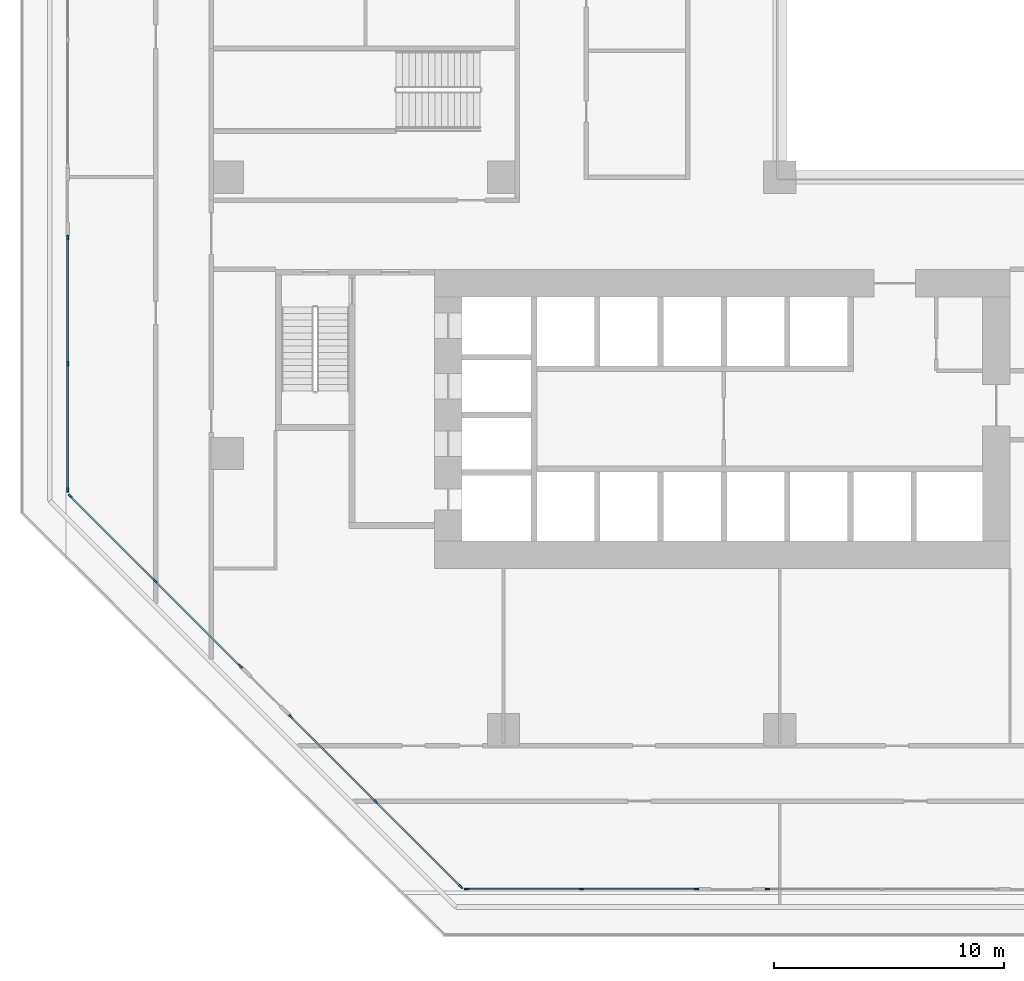
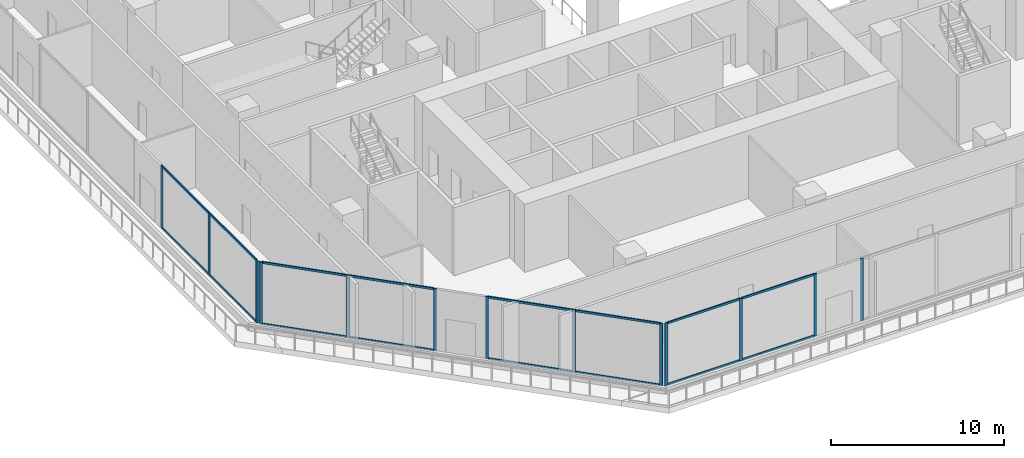
# One storey, part 2 of 25: 29 members, 5 elements without a shape of their own.
"""IFC4 building model written with IfcOpenShell, lengths in metres."""

from ifc_helpers import new_model, si_unit, direction, frame, origin, origin_2d, place, context, subcontext, project, spatial, rectangle, extrude, material, layer, layer_set, material_profile, profile_set, type_object, element, aggregate, save


model = new_model("IFC4")

# Units and contexts
model_context = context("Model", 3, precision=1e-05, world=origin(), true_north=direction((0.0, 1.0)))
body_context = subcontext(model_context, "Body", "Model", "MODEL_VIEW")
ifc_project = project(units=[si_unit("LENGTHUNIT", "METRE"), si_unit("AREAUNIT", "SQUARE_METRE"), si_unit("VOLUMEUNIT", "CUBIC_METRE"), si_unit("PLANEANGLEUNIT", "RADIAN"), si_unit("MASSUNIT", "GRAM", prefix="KILO")], contexts=[model_context])

# Site, building, storey
site_placement = place(None, origin())
site = spatial("IfcSite", under=ifc_project, at=site_placement, CompositionType="ELEMENT")
building_placement = place(site_placement, origin())
building = spatial("IfcBuilding", under=site, at=building_placement, Name="Chenar Terraces", CompositionType="ELEMENT")
storey_placement = place(building_placement, frame((0.0, 0.0, 21.60009765625)))
storey = spatial("IfcBuildingStorey", under=building, at=storey_placement, Name="L04", CompositionType="ELEMENT", Elevation=21.60009765625)

# Curtain wall, members
ifc_material_1 = material(Name="Aluminium framed glazing", Category="aluminium")
ifc_layer = layer(ifc_material_1, 0.14990234375)
ifc_layer_set = layer_set([ifc_layer], Name="Aluminium framed glazing")
curtain_wall_type = type_object("IfcCurtainWallType", Name="School curtain wall", PredefinedType="NOTDEFINED", material=ifc_layer_set)
placement = place(storey_placement, origin())
curtain_wall_1 = element("IfcCurtainWall", 1, at=placement, inside=storey, type_object=curtain_wall_type, Name="School curtain wall", PredefinedType="NOTDEFINED")
ifc_material_2 = material(Name="Aluminium", Category="aluminium")
ifc_material_profile_1 = material_profile(ifc_material_2, rectangle(XDim=0.070068359375, YDim=0.199951171875, at=origin_2d()), Name="School glazing mullion 70 x 200")
ifc_profile_set_1 = profile_set([ifc_material_profile_1], Name="Aluminium")
member_type_1 = type_object("IfcMemberType", Name="School glazing mullion 70 x 200", PredefinedType="MULLION", material=ifc_profile_set_1)
member_1_placement = place(storey_placement, frame((-6.925048828125, 21.388427734375, 0.0), z_axis=(0.0, 0.0, 1.0), x_axis=(1.0, 0.0, 0.0)))
member_1 = element("IfcMember", 2, at=member_1_placement, type_object=member_type_1, Name="CW2-05c3 mullion 1", PredefinedType="MULLION", context=body_context, shape_type="SweptSolid", body=[
    extrude(rectangle(XDim=0.070068359375, YDim=0.199951171875, at=origin_2d()), origin(), (0.0, 0.0, 1.0), 4.39990234375),
])
member_2_placement = place(storey_placement, frame((-6.925048828125, 15.897705078125, 0.0), z_axis=(0.0, 0.0, 1.0), x_axis=(1.0, 0.0, 0.0)))
member_2 = element("IfcMember", 3, at=member_2_placement, type_object=member_type_1, Name="CW2-05c3 mullion 2", PredefinedType="MULLION", context=body_context, shape_type="SweptSolid", body=[
    extrude(rectangle(XDim=0.070068359375, YDim=0.199951171875, at=origin_2d()), origin(), (0.0, 0.0, 1.0), 4.39990234375),
])
member_3_placement = place(storey_placement, frame((-6.925048828125, 10.40673828125, 0.0), z_axis=(0.0, 0.0, 1.0), x_axis=(1.0, 0.0, 0.0)))
member_3 = element("IfcMember", 4, at=member_3_placement, type_object=member_type_1, Name="CW2-05c3 mullion 3", PredefinedType="MULLION", context=body_context, shape_type="SweptSolid", body=[
    extrude(rectangle(XDim=0.070068359375, YDim=0.199951171875, at=origin_2d()), origin(), (0.0, 0.0, 1.0), 4.39990234375),
])

curtain_wall_2 = element("IfcCurtainWall", 5, at=placement, inside=storey, type_object=curtain_wall_type, Name="School curtain wall", PredefinedType="NOTDEFINED")
member_4_placement = place(storey_placement, frame((-6.816162109375, 10.14404296875, 0.0), z_axis=(0.0, 0.0, 1.0), x_axis=(0.707106781187, 0.707106781187, 0.0)))
member_4 = element("IfcMember", 6, at=member_4_placement, type_object=member_type_1, Name="CW2-06c0 mullion 1", PredefinedType="MULLION", context=body_context, shape_type="SweptSolid", body=[
    extrude(rectangle(XDim=0.070068359375, YDim=0.199951171875, at=origin_2d()), origin(), (0.0, 0.0, 1.0), 4.39990234375),
])
member_5_placement = place(storey_placement, frame((-3.123291015625, 6.451171875, 0.0), z_axis=(0.0, 0.0, 1.0), x_axis=(0.707106781187, 0.707106781187, 0.0)))
member_5 = element("IfcMember", 7, at=member_5_placement, type_object=member_type_1, Name="CW2-06c0 mullion 2", PredefinedType="MULLION", context=body_context, shape_type="SweptSolid", body=[
    extrude(rectangle(XDim=0.070068359375, YDim=0.199951171875, at=origin_2d()), origin(), (0.0, 0.0, 1.0), 4.39990234375),
])
member_6_placement = place(storey_placement, frame((0.569580078125, 2.75830078125, 0.0), z_axis=(0.0, 0.0, 1.0), x_axis=(0.707106781187, 0.707106781187, 0.0)))
member_6 = element("IfcMember", 8, at=member_6_placement, type_object=member_type_1, Name="CW2-06c0 mullion 3", PredefinedType="MULLION", context=body_context, shape_type="SweptSolid", body=[
    extrude(rectangle(XDim=0.070068359375, YDim=0.199951171875, at=origin_2d()), origin(), (0.0, 0.0, 1.0), 4.39990234375),
])

curtain_wall_3 = element("IfcCurtainWall", 9, at=placement, inside=storey, type_object=curtain_wall_type, Name="School curtain wall", PredefinedType="NOTDEFINED")
member_7_placement = place(storey_placement, frame((2.75830078125, 0.569580078125, 0.0), z_axis=(0.0, 0.0, 1.0), x_axis=(0.707106781187, 0.707106781187, 0.0)))
member_7 = element("IfcMember", 10, at=member_7_placement, type_object=member_type_1, Name="CW2-06c1 mullion 1", PredefinedType="MULLION", context=body_context, shape_type="SweptSolid", body=[
    extrude(rectangle(XDim=0.070068359375, YDim=0.199951171875, at=origin_2d()), origin(), (0.0, 0.0, 1.0), 4.39990234375),
])
member_8_placement = place(storey_placement, frame((6.451171875, -3.123291015625, 0.0), z_axis=(0.0, 0.0, 1.0), x_axis=(0.707106781187, 0.707106781187, 0.0)))
member_8 = element("IfcMember", 11, at=member_8_placement, type_object=member_type_1, Name="CW2-06c1 mullion 2", PredefinedType="MULLION", context=body_context, shape_type="SweptSolid", body=[
    extrude(rectangle(XDim=0.070068359375, YDim=0.199951171875, at=origin_2d()), origin(), (0.0, 0.0, 1.0), 4.39990234375),
])
member_9_placement = place(storey_placement, frame((10.14404296875, -6.816162109375, 0.0), z_axis=(0.0, 0.0, 1.0), x_axis=(0.707106781187, 0.707106781187, 0.0)))
member_9 = element("IfcMember", 12, at=member_9_placement, type_object=member_type_1, Name="CW2-06c1 mullion 3", PredefinedType="MULLION", context=body_context, shape_type="SweptSolid", body=[
    extrude(rectangle(XDim=0.070068359375, YDim=0.199951171875, at=origin_2d()), origin(), (0.0, 0.0, 1.0), 4.39990234375),
])

curtain_wall_4 = element("IfcCurtainWall", 13, at=placement, inside=storey, type_object=curtain_wall_type, Name="School curtain wall", PredefinedType="NOTDEFINED")
member_10_placement = place(storey_placement, frame((10.40673828125, -6.925048828125, 0.0), z_axis=(0.0, 0.0, 1.0), x_axis=(0.0, 1.0, 0.0)))
member_10 = element("IfcMember", 14, at=member_10_placement, type_object=member_type_1, Name="CW2-07c0 mullion 1", PredefinedType="MULLION", context=body_context, shape_type="SweptSolid", body=[
    extrude(rectangle(XDim=0.070068359375, YDim=0.199951171875, at=origin_2d()), origin(), (0.0, 0.0, 1.0), 4.39990234375),
])
member_11_placement = place(storey_placement, frame((15.39111328125, -6.925048828125, 0.0), z_axis=(0.0, 0.0, 1.0), x_axis=(0.0, 1.0, 0.0)))
member_11 = element("IfcMember", 15, at=member_11_placement, type_object=member_type_1, Name="CW2-07c0 mullion 2", PredefinedType="MULLION", context=body_context, shape_type="SweptSolid", body=[
    extrude(rectangle(XDim=0.070068359375, YDim=0.199951171875, at=origin_2d()), origin(), (0.0, 0.0, 1.0), 4.39990234375),
])
member_12_placement = place(storey_placement, frame((20.37548828125, -6.925048828125, 0.0), z_axis=(0.0, 0.0, 1.0), x_axis=(0.0, 1.0, 0.0)))
member_12 = element("IfcMember", 16, at=member_12_placement, type_object=member_type_1, Name="CW2-07c0 mullion 3", PredefinedType="MULLION", context=body_context, shape_type="SweptSolid", body=[
    extrude(rectangle(XDim=0.070068359375, YDim=0.199951171875, at=origin_2d()), origin(), (0.0, 0.0, 1.0), 4.39990234375),
])

# Curtain wall, member
curtain_wall_5 = element("IfcCurtainWall", 17, at=placement, inside=storey, type_object=curtain_wall_type, Name="School curtain wall", PredefinedType="NOTDEFINED")
member_13_placement = place(storey_placement, frame((23.470458984375, -6.925048828125, 0.0), z_axis=(0.0, 0.0, 1.0), x_axis=(0.0, 1.0, 0.0)))
member_13 = element("IfcMember", 18, at=member_13_placement, type_object=member_type_1, Name="CW2-07c1 mullion 1", PredefinedType="MULLION", context=body_context, shape_type="SweptSolid", body=[
    extrude(rectangle(XDim=0.070068359375, YDim=0.199951171875, at=origin_2d()), origin(), (0.0, 0.0, 1.0), 4.39990234375),
])
aggregate(curtain_wall_5, [member_13])

# Member
ifc_material_3 = material(Name="Aluminium", Category="aluminium")
ifc_material_profile_2 = material_profile(ifc_material_3, rectangle(XDim=0.070068359375, YDim=0.14990234375, at=origin_2d()), Name="School glazing transom 70 x 150")
ifc_profile_set_2 = profile_set([ifc_material_profile_2], Name="Aluminium")
member_type_2 = type_object("IfcMemberType", Name="School glazing transom 70 x 150", PredefinedType="USERDEFINED", material=ifc_profile_set_2)
member_14_placement = place(storey_placement, frame((-6.925048828125, 21.353515625, 0.034912109375), z_axis=(0.0, -1.0, 0.0), x_axis=(1.0, 0.0, 0.0)))
member_14 = element("IfcMember", 19, at=member_14_placement, type_object=member_type_2, Name="CW2-05c3 transom 1.1", ObjectType="TRANSOM", PredefinedType="USERDEFINED", context=body_context, shape_type="SweptSolid", body=[
    extrude(rectangle(XDim=0.070068359375, YDim=0.14990234375, at=origin_2d()), origin(), (0.0, 0.0, 1.0), 5.4208984375),
])

member_15_placement = place(storey_placement, frame((-6.925048828125, 21.353515625, 4.364990234375), z_axis=(0.0, -1.0, 0.0), x_axis=(1.0, 0.0, 0.0)))
member_15 = element("IfcMember", 20, at=member_15_placement, type_object=member_type_2, Name="CW2-05c3 transom 1.2", ObjectType="TRANSOM", PredefinedType="USERDEFINED", context=body_context, shape_type="SweptSolid", body=[
    extrude(rectangle(XDim=0.070068359375, YDim=0.14990234375, at=origin_2d()), origin(), (0.0, 0.0, 1.0), 5.4208984375),
])

member_16_placement = place(storey_placement, frame((-6.925048828125, 15.862548828125, 0.034912109375), z_axis=(0.0, -1.0, 0.0), x_axis=(1.0, 0.0, 0.0)))
member_16 = element("IfcMember", 21, at=member_16_placement, type_object=member_type_2, Name="CW2-05c3 transom 2.1", ObjectType="TRANSOM", PredefinedType="USERDEFINED", context=body_context, shape_type="SweptSolid", body=[
    extrude(rectangle(XDim=0.070068359375, YDim=0.14990234375, at=origin_2d()), origin(), (0.0, 0.0, 1.0), 5.420654296875),
])

member_17_placement = place(storey_placement, frame((-6.925048828125, 15.862548828125, 4.364990234375), z_axis=(0.0, -1.0, 0.0), x_axis=(1.0, 0.0, 0.0)))
member_17 = element("IfcMember", 22, at=member_17_placement, type_object=member_type_2, Name="CW2-05c3 transom 2.2", ObjectType="TRANSOM", PredefinedType="USERDEFINED", context=body_context, shape_type="SweptSolid", body=[
    extrude(rectangle(XDim=0.070068359375, YDim=0.14990234375, at=origin_2d()), origin(), (0.0, 0.0, 1.0), 5.420654296875),
])

aggregate(curtain_wall_1, [member_1, member_2, member_3, member_14, member_15, member_16, member_17])

member_18_placement = place(storey_placement, frame((-6.79150390625, 10.119384765625, 0.034912109375), z_axis=(0.707106781187, -0.707106781187, 0.0), x_axis=(0.707106781187, 0.707106781187, 0.0)))
member_18 = element("IfcMember", 23, at=member_18_placement, type_object=member_type_2, Name="CW2-06c0 transom 1.1", ObjectType="TRANSOM", PredefinedType="USERDEFINED", context=body_context, shape_type="SweptSolid", body=[
    extrude(rectangle(XDim=0.070068359375, YDim=0.14990234375, at=origin_2d()), origin(), (0.0, 0.0, 1.0), 5.15283203125),
])

member_19_placement = place(storey_placement, frame((-6.79150390625, 10.119384765625, 4.364990234375), z_axis=(0.707106781187, -0.707106781187, 0.0), x_axis=(0.707106781187, 0.707106781187, 0.0)))
member_19 = element("IfcMember", 24, at=member_19_placement, type_object=member_type_2, Name="CW2-06c0 transom 1.2", ObjectType="TRANSOM", PredefinedType="USERDEFINED", context=body_context, shape_type="SweptSolid", body=[
    extrude(rectangle(XDim=0.070068359375, YDim=0.14990234375, at=origin_2d()), origin(), (0.0, 0.0, 1.0), 5.15283203125),
])

member_20_placement = place(storey_placement, frame((-3.098388671875, 6.42626953125, 0.034912109375), z_axis=(0.707106781187, -0.707106781187, 0.0), x_axis=(0.707106781187, 0.707106781187, 0.0)))
member_20 = element("IfcMember", 25, at=member_20_placement, type_object=member_type_2, Name="CW2-06c0 transom 2.1", ObjectType="TRANSOM", PredefinedType="USERDEFINED", context=body_context, shape_type="SweptSolid", body=[
    extrude(rectangle(XDim=0.070068359375, YDim=0.14990234375, at=origin_2d()), origin(), (0.0, 0.0, 1.0), 5.15234375),
])

member_21_placement = place(storey_placement, frame((-3.098388671875, 6.42626953125, 4.364990234375), z_axis=(0.707106781187, -0.707106781187, 0.0), x_axis=(0.707106781187, 0.707106781187, 0.0)))
member_21 = element("IfcMember", 26, at=member_21_placement, type_object=member_type_2, Name="CW2-06c0 transom 2.2", ObjectType="TRANSOM", PredefinedType="USERDEFINED", context=body_context, shape_type="SweptSolid", body=[
    extrude(rectangle(XDim=0.070068359375, YDim=0.14990234375, at=origin_2d()), origin(), (0.0, 0.0, 1.0), 5.15234375),
])

aggregate(curtain_wall_2, [member_4, member_5, member_6, member_18, member_19, member_20, member_21])

member_22_placement = place(storey_placement, frame((2.782958984375, 0.544921875, 0.034912109375), z_axis=(0.707106781187, -0.707106781187, 0.0), x_axis=(0.707106781187, 0.707106781187, 0.0)))
member_22 = element("IfcMember", 27, at=member_22_placement, type_object=member_type_2, Name="CW2-06c1 transom 1.1", ObjectType="TRANSOM", PredefinedType="USERDEFINED", context=body_context, shape_type="SweptSolid", body=[
    extrude(rectangle(XDim=0.070068359375, YDim=0.14990234375, at=origin_2d()), origin(), (0.0, 0.0, 1.0), 5.15234375),
])

member_23_placement = place(storey_placement, frame((2.782958984375, 0.544921875, 4.364990234375), z_axis=(0.707106781187, -0.707106781187, 0.0), x_axis=(0.707106781187, 0.707106781187, 0.0)))
member_23 = element("IfcMember", 28, at=member_23_placement, type_object=member_type_2, Name="CW2-06c1 transom 1.2", ObjectType="TRANSOM", PredefinedType="USERDEFINED", context=body_context, shape_type="SweptSolid", body=[
    extrude(rectangle(XDim=0.070068359375, YDim=0.14990234375, at=origin_2d()), origin(), (0.0, 0.0, 1.0), 5.15234375),
])

member_24_placement = place(storey_placement, frame((6.475830078125, -3.14794921875, 0.034912109375), z_axis=(0.707106781187, -0.707106781187, 0.0), x_axis=(0.707106781187, 0.707106781187, 0.0)))
member_24 = element("IfcMember", 29, at=member_24_placement, type_object=member_type_2, Name="CW2-06c1 transom 2.1", ObjectType="TRANSOM", PredefinedType="USERDEFINED", context=body_context, shape_type="SweptSolid", body=[
    extrude(rectangle(XDim=0.070068359375, YDim=0.14990234375, at=origin_2d()), origin(), (0.0, 0.0, 1.0), 5.15283203125),
])

member_25_placement = place(storey_placement, frame((6.475830078125, -3.14794921875, 4.364990234375), z_axis=(0.707106781187, -0.707106781187, 0.0), x_axis=(0.707106781187, 0.707106781187, 0.0)))
member_25 = element("IfcMember", 30, at=member_25_placement, type_object=member_type_2, Name="CW2-06c1 transom 2.2", ObjectType="TRANSOM", PredefinedType="USERDEFINED", context=body_context, shape_type="SweptSolid", body=[
    extrude(rectangle(XDim=0.070068359375, YDim=0.14990234375, at=origin_2d()), origin(), (0.0, 0.0, 1.0), 5.15283203125),
])

aggregate(curtain_wall_3, [member_7, member_8, member_9, member_22, member_23, member_24, member_25])

member_26_placement = place(storey_placement, frame((10.44189453125, -6.925048828125, 0.034912109375), z_axis=(1.0, 0.0, 0.0), x_axis=(0.0, 1.0, 0.0)))
member_26 = element("IfcMember", 31, at=member_26_placement, type_object=member_type_2, Name="CW2-07c0 transom 1.1", ObjectType="TRANSOM", PredefinedType="USERDEFINED", context=body_context, shape_type="SweptSolid", body=[
    extrude(rectangle(XDim=0.070068359375, YDim=0.14990234375, at=origin_2d()), origin(), (0.0, 0.0, 1.0), 4.914306640625),
])

member_27_placement = place(storey_placement, frame((10.44189453125, -6.925048828125, 4.364990234375), z_axis=(1.0, 0.0, 0.0), x_axis=(0.0, 1.0, 0.0)))
member_27 = element("IfcMember", 32, at=member_27_placement, type_object=member_type_2, Name="CW2-07c0 transom 1.2", ObjectType="TRANSOM", PredefinedType="USERDEFINED", context=body_context, shape_type="SweptSolid", body=[
    extrude(rectangle(XDim=0.070068359375, YDim=0.14990234375, at=origin_2d()), origin(), (0.0, 0.0, 1.0), 4.914306640625),
])

member_28_placement = place(storey_placement, frame((15.42626953125, -6.925048828125, 0.034912109375), z_axis=(1.0, 0.0, 0.0), x_axis=(0.0, 1.0, 0.0)))
member_28 = element("IfcMember", 33, at=member_28_placement, type_object=member_type_2, Name="CW2-07c0 transom 2.1", ObjectType="TRANSOM", PredefinedType="USERDEFINED", context=body_context, shape_type="SweptSolid", body=[
    extrude(rectangle(XDim=0.070068359375, YDim=0.14990234375, at=origin_2d()), origin(), (0.0, 0.0, 1.0), 4.914306640625),
])

member_29_placement = place(storey_placement, frame((15.42626953125, -6.925048828125, 4.364990234375), z_axis=(1.0, 0.0, 0.0), x_axis=(0.0, 1.0, 0.0)))
member_29 = element("IfcMember", 34, at=member_29_placement, type_object=member_type_2, Name="CW2-07c0 transom 2.2", ObjectType="TRANSOM", PredefinedType="USERDEFINED", context=body_context, shape_type="SweptSolid", body=[
    extrude(rectangle(XDim=0.070068359375, YDim=0.14990234375, at=origin_2d()), origin(), (0.0, 0.0, 1.0), 4.914306640625),
])

aggregate(curtain_wall_4, [member_10, member_11, member_12, member_26, member_27, member_28, member_29])

save(model, "model.ifc")
